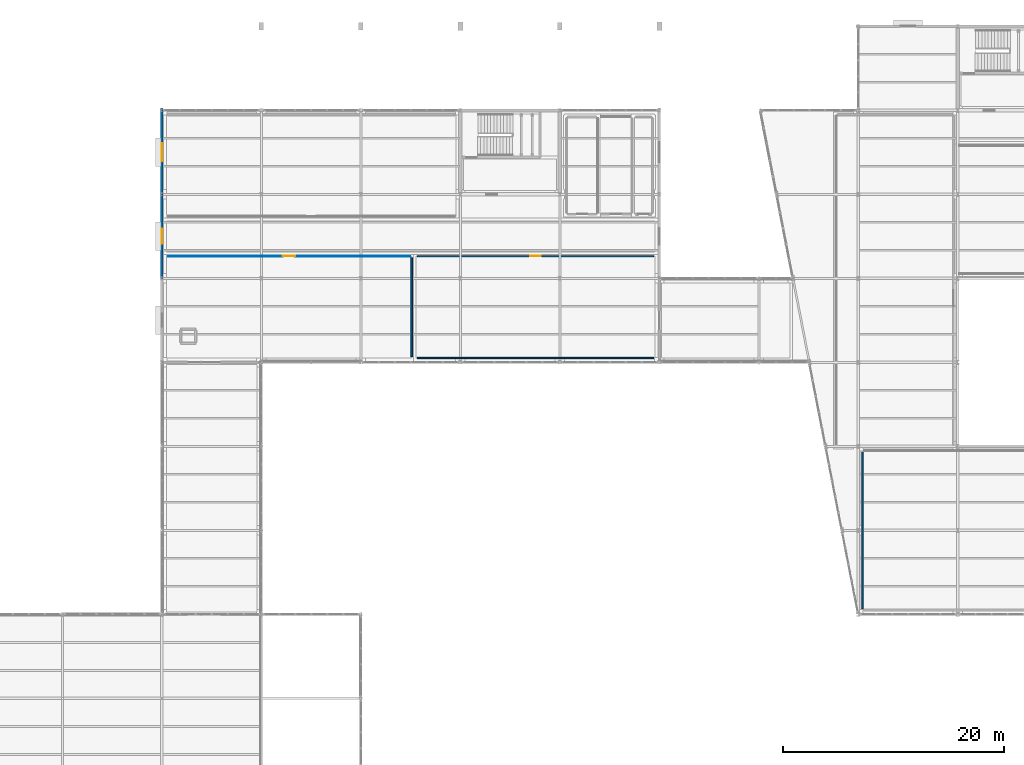
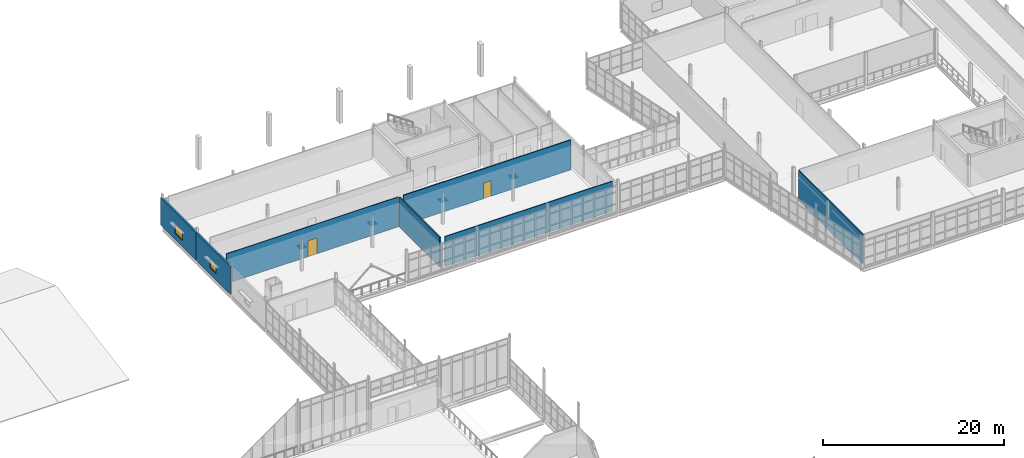
# One storey, part 155 of 166: 7 walls, 2 doors, 2 windows, 4 openings.
"""IFC4 building model written with IfcOpenShell, lengths in metres."""

from ifc_helpers import new_model, si_unit, direction, frame, frame_2d, origin, place, context, subcontext, project, spatial, rectangle, extrude, material, layer, layer_set, type_object, element, fill, save


model = new_model("IFC4")

# Units and contexts
model_context = context("Model", 3, precision=1e-05, world=origin(), true_north=direction((0.0, 1.0)))
body_context = subcontext(model_context, "Body", "Model", "MODEL_VIEW")
ifc_project = project(units=[si_unit("LENGTHUNIT", "METRE"), si_unit("AREAUNIT", "SQUARE_METRE"), si_unit("VOLUMEUNIT", "CUBIC_METRE"), si_unit("PLANEANGLEUNIT", "RADIAN"), si_unit("MASSUNIT", "GRAM", prefix="KILO")], contexts=[model_context])

# Site, building, storey
site_placement = place(None, origin())
site = spatial("IfcSite", under=ifc_project, at=site_placement, CompositionType="ELEMENT")
building_placement = place(site_placement, origin())
building = spatial("IfcBuilding", under=site, at=building_placement, Name="Caisbarro Railhouse Central Library", CompositionType="ELEMENT")
storey_placement = place(building_placement, frame((0.0, 0.0, 9.360107421875)))
storey = spatial("IfcBuildingStorey", under=building, at=storey_placement, Name="L02", CompositionType="ELEMENT", Elevation=9.360107421875)

# Wall, opening, window
ifc_material_1 = material(Name="Concrete C35 insulated architectural precast", Category="concrete")
ifc_layer_1 = layer(ifc_material_1, 0.239990234375, Name="Concrete C35 insulated architectural precast")
ifc_layer_set_1 = layer_set([ifc_layer_1], Name="Concrete C35 insulated architectural precast")
wall_type_1 = type_object("IfcWallType", Name="WAL-EW24", PredefinedType="STANDARD", material=ifc_layer_set_1)
wall_1_placement = place(storey_placement, frame((54.0, 91.199951171875, 0.0), z_axis=(0.0, 0.0, 1.0), x_axis=(0.0, 1.0, 0.0)))
wall_1 = element("IfcWall", 1, at=wall_1_placement, inside=storey, type_object=wall_type_1, Name="EW24 exterior wall L02 #250", PredefinedType="STANDARD", context=body_context, shape_type="SweptSolid", body=[
    extrude(rectangle(XDim=7.60009765625, YDim=0.239990234375, at=frame_2d((3.800048828125, 0.0))), origin(), (0.0, 0.0, 1.0), 3.720947265625),
])
opening_1_placement = place(wall_1_placement, frame((3.125, 0.0, 0.85009765625)))
opening_1 = element("IfcOpeningElement", 2, at=opening_1_placement, cuts=wall_1, Name="Opening W04", PredefinedType="OPENING", context=body_context, shape_type="SweptSolid", body=[
    extrude(rectangle(XDim=1.35009765625, YDim=1.199951171875, at=frame_2d((0.675048828125, 0.60009765625))), frame((0.0, 0.1298828125, 0.0), z_axis=(0.0, -1.0, 0.0), x_axis=(1.0, 0.0, 0.0)), (0.0, 0.0, 1.0), 0.260009765625),
])
ifc_material_2 = material(Name="Double low-e laminated solar-control glass", Category="glass")
window_type_1 = type_object("IfcWindowType", Name="WIN-W04", PartitioningType="SINGLE_PANEL", PredefinedType="WINDOW", material=ifc_material_2)
window_1_placement = place(opening_1_placement, origin())
window_1 = element("IfcWindow", 3, at=window_1_placement, inside=storey, type_object=window_type_1, Name="W04 window L02-097", OverallHeight=1.199951171875, OverallWidth=1.35009765625, PartitioningType="SINGLE_PANEL", PredefinedType="WINDOW", context=body_context, shape_type="SweptSolid", body=[
    extrude(rectangle(XDim=1.35009765625, YDim=1.199951171875, at=frame_2d((0.675048828125, 0.60009765625))), frame((0.0, 0.030029296875, 0.0), z_axis=(0.0, -1.0, 0.0), x_axis=(1.0, 0.0, 0.0)), (0.0, 0.0, 1.0), 0.06005859375),
])
fill(opening_1, window_1)

wall_2_placement = place(storey_placement, frame((54.0, 98.800048828125, 0.0), z_axis=(0.0, 0.0, 1.0), x_axis=(0.0, 1.0, 0.0)))
wall_2 = element("IfcWall", 4, at=wall_2_placement, inside=storey, type_object=wall_type_1, Name="EW24 exterior wall L02 #252", PredefinedType="STANDARD", context=body_context, shape_type="SweptSolid", body=[
    extrude(rectangle(XDim=7.81005859375, YDim=0.239990234375, at=frame_2d((3.905029296875, 0.0))), origin(), (0.0, 0.0, 1.0), 3.720947265625),
])
opening_2_placement = place(wall_2_placement, frame((2.97509765625, 0.0, 0.85009765625)))
opening_2 = element("IfcOpeningElement", 5, at=opening_2_placement, cuts=wall_2, Name="Opening W06", PredefinedType="OPENING", context=body_context, shape_type="SweptSolid", body=[
    extrude(rectangle(XDim=1.64990234375, YDim=1.199951171875, at=frame_2d((0.824951171875, 0.60009765625))), frame((0.0, 0.1298828125, 0.0), z_axis=(0.0, -1.0, 0.0), x_axis=(1.0, 0.0, 0.0)), (0.0, 0.0, 1.0), 0.260009765625),
])
window_type_2 = type_object("IfcWindowType", Name="WIN-W06", PartitioningType="SINGLE_PANEL", PredefinedType="WINDOW", material=ifc_material_2)
window_2_placement = place(opening_2_placement, origin())
window_2 = element("IfcWindow", 6, at=window_2_placement, inside=storey, type_object=window_type_2, Name="W06 window L02-099", OverallHeight=1.199951171875, OverallWidth=1.64990234375, PartitioningType="SINGLE_PANEL", PredefinedType="WINDOW", context=body_context, shape_type="SweptSolid", body=[
    extrude(rectangle(XDim=1.64990234375, YDim=1.199951171875, at=frame_2d((0.824951171875, 0.60009765625))), frame((0.0, 0.030029296875, 0.0), z_axis=(0.0, -1.0, 0.0), x_axis=(1.0, 0.0, 0.0)), (0.0, 0.0, 1.0), 0.06005859375),
])
fill(opening_2, window_2)

# Wall, opening, door
ifc_material_3 = material(Name="Acoustic gypsum board on galvanised steel studs", Category="steel")
ifc_layer_2 = layer(ifc_material_3, 0.090087890625, Name="Acoustic gypsum board on galvanised steel studs")
ifc_layer_set_2 = layer_set([ifc_layer_2], Name="Acoustic gypsum board on galvanised steel studs")
wall_type_2 = type_object("IfcWallType", Name="WAL-IW09", PredefinedType="PARTITIONING", material=ifc_layer_set_2)
wall_3_placement = place(storey_placement, frame((54.52001953125, 93.199951171875, 0.0), z_axis=(0.0, 0.0, 1.0), x_axis=(1.0, 0.0, 0.0)))
wall_3 = element("IfcWall", 7, at=wall_3_placement, inside=storey, type_object=wall_type_2, Name="IW09 partition wall L02 #491", PredefinedType="PARTITIONING", context=body_context, shape_type="SweptSolid", body=[
    extrude(rectangle(XDim=21.9599609375, YDim=0.090087890625, at=frame_2d((10.97998046875, 0.0))), origin(), (0.0, 0.0, 1.0), 4.039794921875),
])
opening_3_placement = place(wall_3_placement, frame((10.4150390625, 0.0, 0.0)))
opening_3 = element("IfcOpeningElement", 8, at=opening_3_placement, cuts=wall_3, Name="Opening ID29", PredefinedType="OPENING", context=body_context, shape_type="SweptSolid", body=[
    extrude(rectangle(XDim=1.1298828125, YDim=2.14990234375, at=frame_2d((0.56494140625, 1.074951171875))), frame((0.0, 0.05517578125, 0.0), z_axis=(0.0, -1.0, 0.0), x_axis=(1.0, 0.0, 0.0)), (0.0, 0.0, 1.0), 0.110107421875),
])
ifc_material_4 = material(Name="Solid-core tropical hardwood veneer", Category="wood")
door_type_1 = type_object("IfcDoorType", Name="DR-ID29", OperationType="NOTDEFINED", PredefinedType="DOOR", material=ifc_material_4)
door_1_placement = place(opening_3_placement, origin())
door_1 = element("IfcDoor", 9, at=door_1_placement, inside=storey, type_object=door_type_1, Name="Community Learning Corridor L02 Door ID29 L02-303", OperationType="SINGLE_SWING_LEFT", OverallHeight=2.14990234375, OverallWidth=1.1298828125, PredefinedType="DOOR", context=body_context, shape_type="SweptSolid", body=[
    extrude(rectangle(XDim=1.1298828125, YDim=2.14990234375, at=frame_2d((0.56494140625, 1.074951171875))), frame((0.0, 0.02490234375, 0.0), z_axis=(0.0, -1.0, 0.0), x_axis=(1.0, 0.0, 0.0)), (0.0, 0.0, 1.0), 0.050048828125),
])
fill(opening_3, door_1)

# Wall
ifc_layer_3 = layer(ifc_material_3, 0.110107421875, Name="Acoustic gypsum board on galvanised steel studs")
ifc_layer_set_3 = layer_set([ifc_layer_3], Name="Acoustic gypsum board on galvanised steel studs")
wall_type_3 = type_object("IfcWallType", Name="WAL-IW11", PredefinedType="PARTITIONING", material=ifc_layer_set_3)
wall_4_placement = place(storey_placement, frame((77.1201171875, 84.0, 0.0), z_axis=(0.0, 0.0, 1.0), x_axis=(1.0, 0.0, 0.0)))
element("IfcWall", 10, at=wall_4_placement, inside=storey, type_object=wall_type_3, Name="IW11 partition wall L02 #494", PredefinedType="PARTITIONING", context=body_context, shape_type="SweptSolid", body=[
    extrude(rectangle(XDim=21.35986328125, YDim=0.110107421875, at=frame_2d((10.679931640625, 0.0))), origin(), (0.0, 0.0, 1.0), 4.039794921875),
])

# Wall, opening, door
ifc_layer_4 = layer(ifc_material_3, 0.1298828125, Name="Acoustic gypsum board on galvanised steel studs")
ifc_layer_set_4 = layer_set([ifc_layer_4], Name="Acoustic gypsum board on galvanised steel studs")
wall_type_4 = type_object("IfcWallType", Name="WAL-IW13", PredefinedType="PARTITIONING", material=ifc_layer_set_4)
wall_5_placement = place(storey_placement, frame((77.1201171875, 93.199951171875, 0.0), z_axis=(0.0, 0.0, 1.0), x_axis=(1.0, 0.0, 0.0)))
wall_5 = element("IfcWall", 11, at=wall_5_placement, inside=storey, type_object=wall_type_4, Name="IW13 partition wall L02 #493", PredefinedType="PARTITIONING", context=body_context, shape_type="SweptSolid", body=[
    extrude(rectangle(XDim=21.35986328125, YDim=0.1298828125, at=frame_2d((10.679931640625, 0.0))), origin(), (0.0, 0.0, 1.0), 4.039794921875),
])
opening_4_placement = place(wall_5_placement, frame((10.199951171875, 0.0, 0.0)))
opening_4 = element("IfcOpeningElement", 12, at=opening_4_placement, cuts=wall_5, Name="Opening ID11", PredefinedType="OPENING", context=body_context, shape_type="SweptSolid", body=[
    extrude(rectangle(XDim=0.9599609375, YDim=2.10009765625, at=frame_2d((0.47998046875, 1.050048828125))), frame((0.0, 0.074951171875, 0.0), z_axis=(0.0, -1.0, 0.0), x_axis=(1.0, 0.0, 0.0)), (0.0, 0.0, 1.0), 0.14990234375),
])
door_type_2 = type_object("IfcDoorType", Name="DR-ID11", OperationType="NOTDEFINED", PredefinedType="DOOR", material=ifc_material_4)
door_2_placement = place(opening_4_placement, origin())
door_2 = element("IfcDoor", 13, at=door_2_placement, inside=storey, type_object=door_type_2, Name="Digital Humanities Lab Door ID11 L02-286", OperationType="SINGLE_SWING_RIGHT", OverallHeight=2.10009765625, OverallWidth=0.9599609375, PredefinedType="DOOR", context=body_context, shape_type="SweptSolid", body=[
    extrude(rectangle(XDim=0.9599609375, YDim=2.10009765625, at=frame_2d((0.47998046875, 1.050048828125))), frame((0.0, 0.02490234375, 0.0), z_axis=(0.0, -1.0, 0.0), x_axis=(1.0, 0.0, 0.0)), (0.0, 0.0, 1.0), 0.050048828125),
])
fill(opening_4, door_2)

# Walls
wall_6_placement = place(storey_placement, frame((117.39990234375, 61.320068359375, 0.0), z_axis=(0.0, 0.0, 1.0), x_axis=(0.0, 1.0, 0.0)))
element("IfcWall", 14, at=wall_6_placement, inside=storey, type_object=wall_type_4, Name="IW13 partition wall L02 #509", PredefinedType="PARTITIONING", context=body_context, shape_type="SweptSolid", body=[
    extrude(rectangle(XDim=14.159912109375, YDim=0.1298828125, at=frame_2d((7.080078125, 0.0))), origin(), (0.0, 0.0, 1.0), 4.039794921875),
])
ifc_layer_5 = layer(ifc_material_3, 0.14990234375, Name="Acoustic gypsum board on galvanised steel studs")
ifc_layer_set_5 = layer_set([ifc_layer_5], Name="Acoustic gypsum board on galvanised steel studs")
wall_type_5 = type_object("IfcWallType", Name="WAL-IW15", PredefinedType="PARTITIONING", material=ifc_layer_set_5)
wall_7_placement = place(storey_placement, frame((76.60009765625, 84.1201171875, 0.0), z_axis=(0.0, 0.0, 1.0), x_axis=(0.0, 1.0, 0.0)))
element("IfcWall", 15, at=wall_7_placement, inside=storey, type_object=wall_type_5, Name="IW15 partition wall L02 #492", PredefinedType="PARTITIONING", context=body_context, shape_type="SweptSolid", body=[
    extrude(rectangle(XDim=8.9599609375, YDim=0.14990234375, at=frame_2d((4.47998046875, 0.0))), origin(), (0.0, 0.0, 1.0), 4.039794921875),
])

save(model, "model.ifc")
